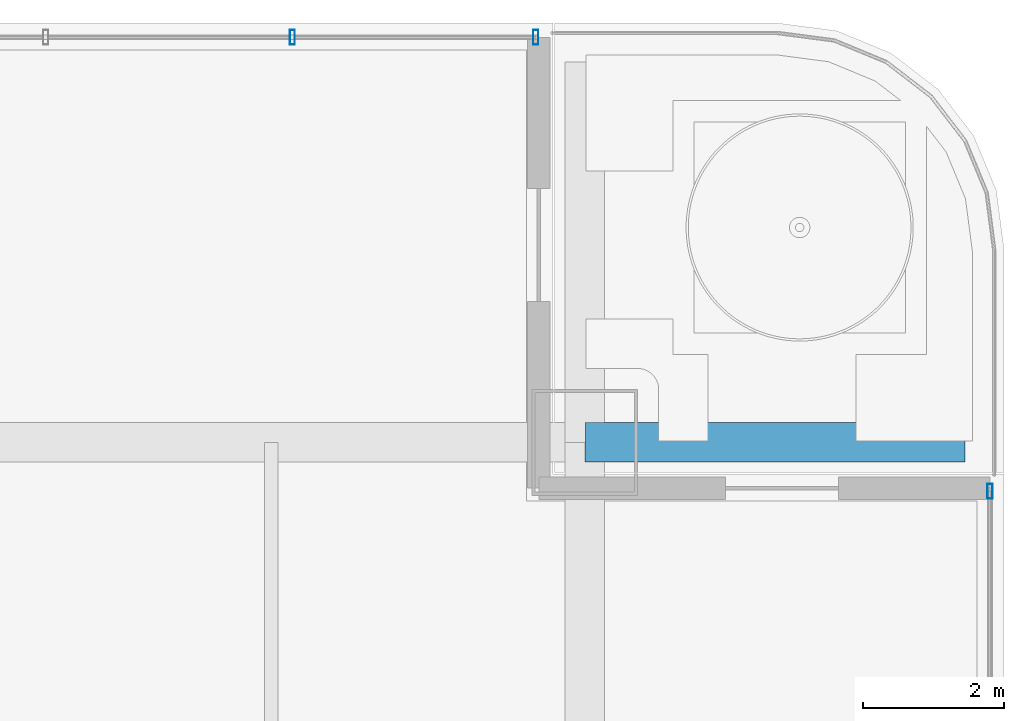
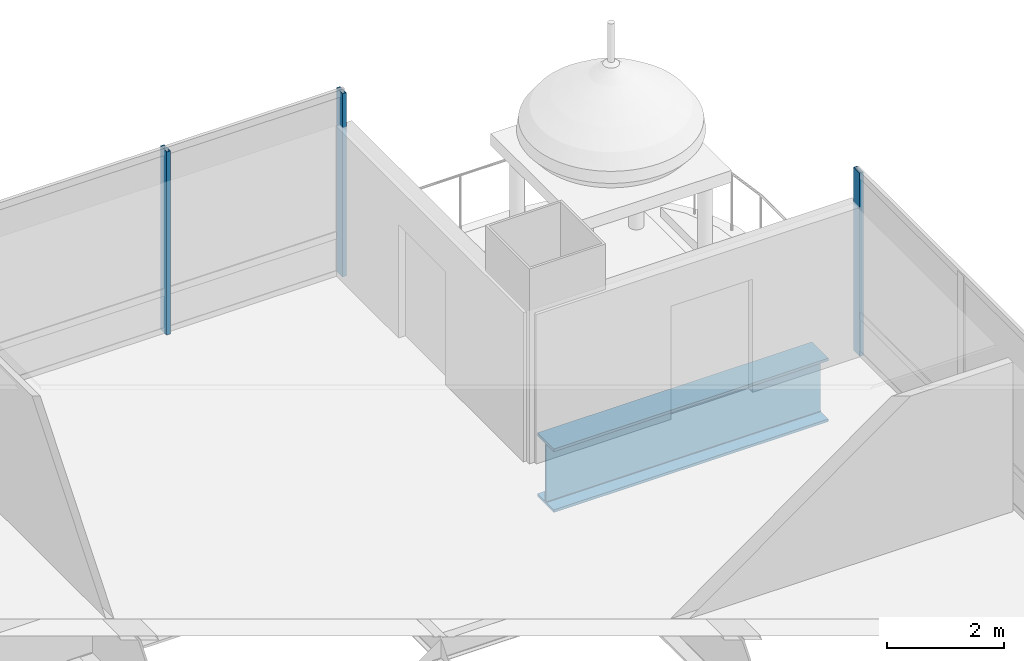
# One storey, part 22 of 37: 3 members, 1 beam, 2 elements without a shape of their own.
"""IFC4 building model written with IfcOpenShell, lengths in metres."""

import ifcopenshell
import ifcopenshell.guid

model = None  # the IFC model being written
_history = None  # IfcOwnerHistory: only IFC2X3 demands one
_inside = {}  # id of a spatial element -> (the spatial element, [elements in it])
_under = {}  # id of a project, library or spatial element -> (it, [spatial elements below it])
_declared = {}  # id of a project -> (the project, [libraries it declares])
_typed = {}  # id of a type object -> (the type object, [elements of that type])
_made_of = {}  # id of a material, layer set ... -> (it, [elements and type objects made of it])


def new_model(schema):
    """Start an empty IFC model of exactly this schema.

    Asked for "IFC4X3", IfcOpenShell would pick the latest addendum, in which some entities
    have other attributes; the version numbers below select the first issue.
    IFC2X3 requires an IfcOwnerHistory on every rooted entity: one is made here for all.
    """
    global model, _history
    if schema == "IFC4X3":
        model = ifcopenshell.file(schema_version=(4, 3, 0, 0))
    else:
        model = ifcopenshell.file(schema=schema)
    _inside.clear()
    _under.clear()
    _declared.clear()
    _typed.clear()
    _made_of.clear()
    _history = None
    if model.schema == "IFC2X3":
        org = make("IfcOrganization", Name="unknown")
        user = make(
            "IfcPersonAndOrganization",
            ThePerson=make("IfcPerson", FamilyName="unknown"),
            TheOrganization=org,
        )
        app = make(
            "IfcApplication",
            ApplicationDeveloper=org,
            Version="unknown",
            ApplicationFullName="unknown",
            ApplicationIdentifier="unknown",
        )
        _history = make(
            "IfcOwnerHistory",
            OwningUser=user,
            OwningApplication=app,
            ChangeAction="ADDED",
            CreationDate=0,
        )
    return model


def make(cls, **values):
    """One entity of the class cls with the attributes given. An attribute that is None is left unset."""
    return model.create_entity(
        cls, **{name: value for name, value in values.items() if value is not None}
    )


def rooted(cls, **values):
    """An entity with a GlobalId (a new one), such as an element, a storey or a relation."""
    return make(cls, GlobalId=ifcopenshell.guid.new(), OwnerHistory=_history, **values)


def si_unit(unit_type, name, prefix=None):
    """IfcSIUnit, for example si_unit("LENGTHUNIT", "METRE", prefix="MILLI")."""
    return make("IfcSIUnit", UnitType=unit_type, Prefix=prefix, Name=name)


def assignment(units):
    """IfcUnitAssignment: the units of a project."""
    return None if units is None else make("IfcUnitAssignment", Units=units)


def point(xyz):
    """IfcCartesianPoint."""
    return None if xyz is None else make("IfcCartesianPoint", Coordinates=xyz)


def direction(xyz):
    """IfcDirection."""
    return None if xyz is None else make("IfcDirection", DirectionRatios=xyz)


def frame(location, z_axis=None, x_axis=None):
    """IfcAxis2Placement3D, a coordinate frame: its origin and axes. An axis left out is left unset."""
    return make(
        "IfcAxis2Placement3D",
        Location=point(location),
        Axis=direction(z_axis),
        RefDirection=direction(x_axis),
    )


def frame_2d(location, x_axis=None):
    """IfcAxis2Placement2D, a coordinate frame in the plane: its origin and x axis."""
    return make(
        "IfcAxis2Placement2D", Location=point(location), RefDirection=direction(x_axis)
    )


def origin():
    """The frame at (0, 0, 0) with its axes left unset."""
    return frame((0.0, 0.0, 0.0))


def origin_2d():
    """The frame at (0, 0) in the plane with its x axis left unset."""
    return frame_2d((0.0, 0.0))


def place(relative_to, where):
    """IfcLocalPlacement: puts the frame where relative to a parent placement (None: the world)."""
    return make(
        "IfcLocalPlacement", PlacementRelTo=relative_to, RelativePlacement=where
    )


def context(
    kind, dimensions, precision=None, world=None, true_north=None, identifier=None
):
    """IfcGeometricRepresentationContext, for example the 3D "Model" context."""
    return make(
        "IfcGeometricRepresentationContext",
        ContextIdentifier=identifier,
        ContextType=kind,
        CoordinateSpaceDimension=dimensions,
        Precision=precision,
        WorldCoordinateSystem=world,
        TrueNorth=true_north,
    )


def subcontext(parent, identifier, kind, view, scale=None):
    """IfcGeometricRepresentationSubContext, for example "Body" below "Model"."""
    return make(
        "IfcGeometricRepresentationSubContext",
        ContextIdentifier=identifier,
        ContextType=kind,
        ParentContext=parent,
        TargetScale=scale,
        TargetView=view,
    )


def project(units=None, contexts=None):
    """IfcProject with its units and contexts."""
    return rooted(
        "IfcProject",
        Name="project",
        RepresentationContexts=contexts,
        UnitsInContext=assignment(units),
    )


def spatial(cls, under=None, at=None, **own):
    """A site, building, storey or space (cls), placed at a placement, below another one or the project."""
    s = rooted(cls, ObjectPlacement=at, **own)
    if under is not None:
        _under.setdefault(under.id(), (under, []))[1].append(s)
    return s


def profile(cls, at=None, kind="AREA", **sizes):
    """A parametric profile (cls). Its sizes go by their IFC names, for example OverallWidth=200.0."""
    return make(cls, ProfileType=kind, Position=at, **sizes)


def hollow_rectangle(**sizes):
    """IfcRectangleHollowProfileDef."""
    return profile("IfcRectangleHollowProfileDef", **sizes)


def i_section(**sizes):
    """IfcIShapeProfileDef."""
    return profile("IfcIShapeProfileDef", **sizes)


def extrude(swept, where, along, depth):
    """IfcExtrudedAreaSolid: the profile swept, set in the frame where, extruded along a direction by depth."""
    return make(
        "IfcExtrudedAreaSolid",
        SweptArea=swept,
        Position=where,
        ExtrudedDirection=direction(along),
        Depth=depth,
    )


def shape(context_of_items, identifier, shape_type, items):
    """IfcShapeRepresentation: the items that make up one representation, for example the "Body"."""
    return make(
        "IfcShapeRepresentation",
        ContextOfItems=context_of_items,
        RepresentationIdentifier=identifier,
        RepresentationType=shape_type,
        Items=items,
    )


def material(Name=None, Category=None):
    """IfcMaterial."""
    return make("IfcMaterial", Name=Name, Category=Category)


def material_profile(
    of_material, cross_section, Name=None, Category=None, Priority=None
):
    """IfcMaterialProfile: a cross section and its material."""
    return make(
        "IfcMaterialProfile",
        Name=Name,
        Material=of_material,
        Profile=cross_section,
        Priority=Priority,
        Category=Category,
    )


def profile_set(profiles, Name=None, composite=None):
    """IfcMaterialProfileSet."""
    return make(
        "IfcMaterialProfileSet",
        Name=Name,
        MaterialProfiles=profiles,
        CompositeProfile=composite,
    )


def made_of(thing, what):
    """Note that an element or type object is made of a material, layer set ...; save() writes the relation."""
    if what is not None:
        _made_of.setdefault(what.id(), (what, []))[1].append(thing)
    return thing


def type_object(cls, material=None, **own):
    """A type object (cls), such as IfcWallType, which elements share."""
    return made_of(rooted(cls, **own), material)


def element(
    cls,
    number,
    at=None,
    inside=None,
    cuts=None,
    type_object=None,
    material=None,
    context=None,
    identifier="Body",
    shape_type=None,
    held_by="IfcProductDefinitionShape",
    body=None,
    shapes=None,
    **own,
):
    """One element of the class cls, such as IfcWall. Its Tag is "e" and its number.

    at: its placement. inside: the storey or other place that contains it. cuts: it is an
    opening in that element (IfcRelVoidsElement). A single representation is given by context,
    identifier, shape_type and body (its items); several are given by shapes. held_by: the class
    of the entity that holds the representations. save() writes the other relations.
    """
    e = rooted(cls, Tag="e%d" % number, ObjectPlacement=at, **own)
    if body is not None:
        shapes = [shape(context, identifier, shape_type, body)]
    if shapes is not None:
        e.Representation = make(held_by, Representations=shapes)
    if inside is not None:
        _inside.setdefault(inside.id(), (inside, []))[1].append(e)
    if cuts is not None:
        rooted(
            "IfcRelVoidsElement", RelatingBuildingElement=cuts, RelatedOpeningElement=e
        )
    if type_object is not None:
        _typed.setdefault(type_object.id(), (type_object, []))[1].append(e)
    return made_of(e, material)


def aggregate(whole, parts):
    """IfcRelAggregates: a whole, such as a stair, and the parts it consists of."""
    return rooted("IfcRelAggregates", RelatingObject=whole, RelatedObjects=parts)


def save(model, path):
    """Write the relations noted so far, then the file.

    IfcRelAggregates (storeys below a building ...), IfcRelContainedInSpatialStructure (elements
    in a storey), IfcRelDefinesByType, IfcRelAssociatesMaterial and IfcRelDeclares: one each for
    every whole, place, type object, material and project.
    """
    for whole, parts in _under.values():
        aggregate(whole, parts)
    for where, things in _inside.values():
        rooted(
            "IfcRelContainedInSpatialStructure",
            RelatedElements=things,
            RelatingStructure=where,
        )
    for kind, things in _typed.values():
        rooted("IfcRelDefinesByType", RelatedObjects=things, RelatingType=kind)
    for what, things in _made_of.values():
        rooted("IfcRelAssociatesMaterial", RelatedObjects=things, RelatingMaterial=what)
    for by, libraries in _declared.values():
        rooted("IfcRelDeclares", RelatingContext=by, RelatedDefinitions=libraries)
    model.write(path)


model = new_model("IFC4")

# Units and contexts
model_context = context("Model", 3, precision=1e-05, world=origin(), true_north=direction((0.0, 1.0)))
body_context = subcontext(model_context, "Body", "Model", "MODEL_VIEW")
ifc_project = project(units=[si_unit("LENGTHUNIT", "METRE"), si_unit("AREAUNIT", "SQUARE_METRE"), si_unit("VOLUMEUNIT", "CUBIC_METRE"), si_unit("PLANEANGLEUNIT", "RADIAN"), si_unit("MASSUNIT", "GRAM", prefix="KILO")], contexts=[model_context])

# Site, building, storey
site_placement = place(None, origin())
site = spatial("IfcSite", under=ifc_project, at=site_placement, CompositionType="ELEMENT")
building_placement = place(site_placement, origin())
building = spatial("IfcBuilding", under=site, at=building_placement, Name="Punatoya Terracotta Tower", CompositionType="ELEMENT")
storey_placement = place(building_placement, frame((0.0, 0.0, 109.199951171875)))
storey = spatial("IfcBuildingStorey", under=building, at=storey_placement, Name="L25", CompositionType="ELEMENT", Elevation=109.199951171875)

# Beam
ifc_material_1 = material(Name="Steel S460", Category="steel")
ifc_material_profile_1 = material_profile(ifc_material_1, i_section(OverallWidth=0.56005859375, OverallDepth=1.320068359375, WebThickness=0.035888671875, FlangeThickness=0.054931640625, FilletRadius=0.01806640625, at=origin_2d()))
ifc_profile_set_1 = profile_set([ifc_material_profile_1], Name="Steel S460")
beam_type = type_object("IfcBeamType", Name="BM-TG-BLK", PredefinedType="BEAM", material=ifc_profile_set_1)
beam_placement = place(storey_placement, frame((19.10009765625, 17.5, -0.89990234375), z_axis=(1.0, 0.0, 0.0), x_axis=(0.0, 1.0, 0.0)))
element("IfcBeam", 1, at=beam_placement, inside=storey, type_object=beam_type, Name="BM-L25-SLT-NE-2", PredefinedType="BEAM", context=body_context, shape_type="SweptSolid", body=[
    extrude(i_section(OverallWidth=0.56005859375, OverallDepth=1.320068359375, WebThickness=0.035888671875, FlangeThickness=0.054931640625, FilletRadius=0.01806640625, at=origin_2d()), origin(), (0.0, 0.0, 1.0), 5.39990234375),
])

# Curtain wall, member
ifc_material_2 = material(Name="Aluminium 6063-T6 + Double Low-E Glass", Category="aluminium")
curtain_wall_type = type_object("IfcCurtainWallType", Name="CW-M1", PredefinedType="NOTDEFINED", material=ifc_material_2)
curtain_wall_1_placement = place(storey_placement, origin())
curtain_wall_1 = element("IfcCurtainWall", 2, at=curtain_wall_1_placement, inside=storey, type_object=curtain_wall_type, Name="L25 Curtain Wall CW-L25-E05-1", PredefinedType="NOTDEFINED")
ifc_material_3 = material(Name="Aluminium 6063-T6", Category="aluminium")
ifc_material_profile_2 = material_profile(ifc_material_3, hollow_rectangle(XDim=0.074951171875, YDim=0.2099609375, WallThickness=0.00439453125, at=origin_2d()))
ifc_profile_set_2 = profile_set([ifc_material_profile_2], Name="Aluminium 6063-T6")
member_type = type_object("IfcMemberType", Name="CW-MUL-M1", PredefinedType="MULLION", material=ifc_profile_set_2)
member_1_placement = place(storey_placement, frame((24.85009765625, 16.804931640625, 0.0), z_axis=(0.0, 0.0, 1.0), x_axis=(1.0, 0.0, 0.0)))
member_1 = element("IfcMember", 3, at=member_1_placement, type_object=member_type, Name="CW-L25-E05-1 Mullion 09", PredefinedType="MULLION", context=body_context, shape_type="SweptSolid", body=[
    extrude(hollow_rectangle(XDim=0.074951171875, YDim=0.2099609375, WallThickness=0.00439453125, at=origin_2d()), origin(), (0.0, 0.0, 1.0), 3.81005859375),
])
aggregate(curtain_wall_1, [member_1])

# Curtain wall, members
curtain_wall_2_placement = place(storey_placement, origin())
curtain_wall_2 = element("IfcCurtainWall", 4, at=curtain_wall_2_placement, inside=storey, type_object=curtain_wall_type, Name="L25 Curtain Wall CW-L25-N08-1", PredefinedType="NOTDEFINED")
member_2_placement = place(storey_placement, frame((18.405029296875, 23.25, 0.0), z_axis=(0.0, 0.0, 1.0), x_axis=(1.0, 0.0, 0.0)))
member_2 = element("IfcMember", 5, at=member_2_placement, type_object=member_type, Name="CW-L25-N08-1 Mullion 00", PredefinedType="MULLION", context=body_context, shape_type="SweptSolid", body=[
    extrude(hollow_rectangle(XDim=0.074951171875, YDim=0.2099609375, WallThickness=0.00439453125, at=origin_2d()), origin(), (0.0, 0.0, 1.0), 3.81005859375),
])
member_3_placement = place(storey_placement, frame((14.949951171875, 23.25, 0.0), z_axis=(0.0, 0.0, 1.0), x_axis=(1.0, 0.0, 0.0)))
member_3 = element("IfcMember", 6, at=member_3_placement, type_object=member_type, Name="CW-L25-N08-1 Mullion 01", PredefinedType="MULLION", context=body_context, shape_type="SweptSolid", body=[
    extrude(hollow_rectangle(XDim=0.074951171875, YDim=0.2099609375, WallThickness=0.00439453125, at=origin_2d()), origin(), (0.0, 0.0, 1.0), 3.81005859375),
])
aggregate(curtain_wall_2, [member_2, member_3])

save(model, "model.ifc")
